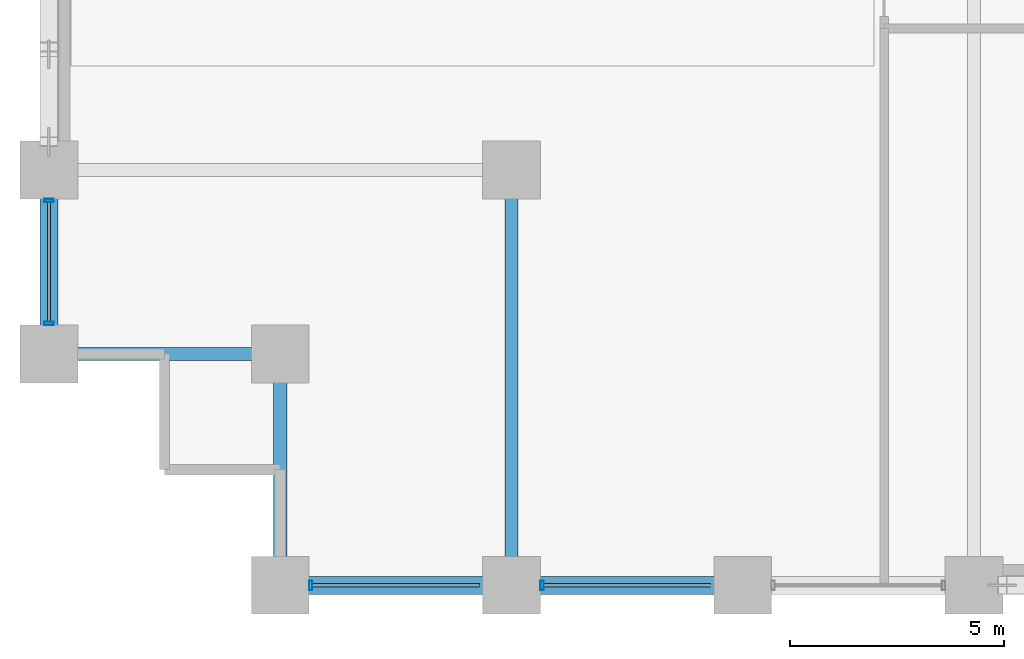
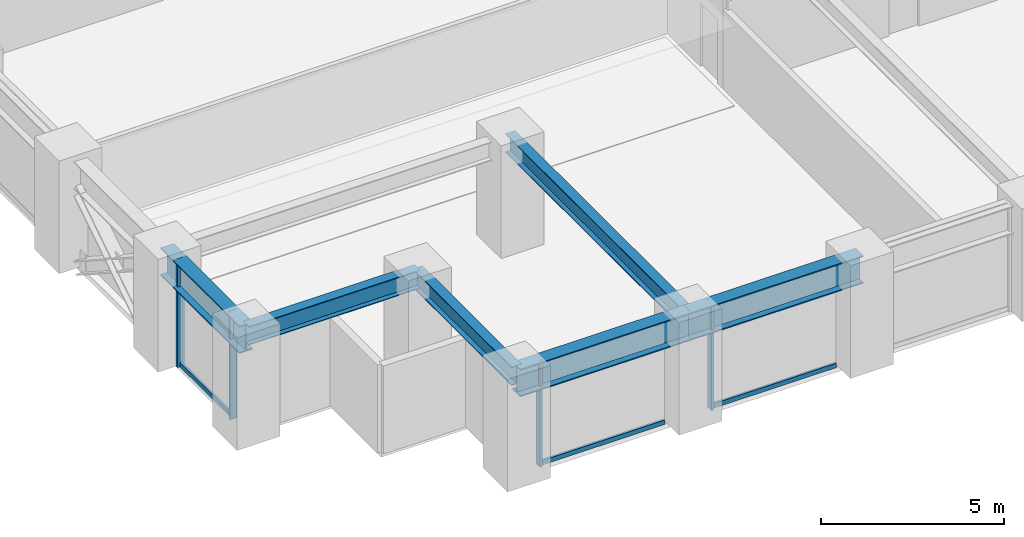
# One storey, part 2 of 25: 7 members, 6 beams, 2 elements without a shape of their own.
"""IFC4 building model written with IfcOpenShell, lengths in metres."""

from ifc_helpers import new_model, si_unit, direction, frame, origin, origin_2d, place, context, subcontext, project, spatial, hollow_rectangle, i_section, extrude, material, layer, layer_set, material_profile, profile_set, type_object, element, aggregate, save


model = new_model("IFC4")

# Units and contexts
model_context = context("Model", 3, precision=1e-05, world=origin(), true_north=direction((0.0, 1.0)))
body_context = subcontext(model_context, "Body", "Model", "MODEL_VIEW")
ifc_project = project(units=[si_unit("LENGTHUNIT", "METRE"), si_unit("AREAUNIT", "SQUARE_METRE"), si_unit("VOLUMEUNIT", "CUBIC_METRE"), si_unit("PLANEANGLEUNIT", "RADIAN"), si_unit("MASSUNIT", "GRAM", prefix="KILO")], contexts=[model_context])

# Site, building, storey
site_placement = place(None, origin())
site = spatial("IfcSite", under=ifc_project, at=site_placement, CompositionType="ELEMENT")
building_placement = place(site_placement, origin())
building = spatial("IfcBuilding", under=site, at=building_placement, Name="Surkhivell Harbour Commons", CompositionType="ELEMENT")
storey_placement = place(building_placement, frame((0.0, 0.0, 45.0)))
storey = spatial("IfcBuildingStorey", under=building, at=storey_placement, Name="L11", CompositionType="ELEMENT", Elevation=45.0)

# Beams
ifc_material_1 = material(Name="Steel S355", Category="steel")
ifc_material_profile_1 = material_profile(ifc_material_1, i_section(OverallWidth=0.306884765625, OverallDepth=0.6201171875, WebThickness=0.01416015625, FlangeThickness=0.023681640625, at=origin_2d()), Name="UB610x305x179")
ifc_profile_set_1 = profile_set([ifc_material_profile_1], Name="Steel S355")
beam_type_1 = type_object("IfcBeamType", Name="BM-GRD-610A", PredefinedType="BEAM", material=ifc_profile_set_1)
for number, where, z_axis, x_axis, name in (
    (1, (-32.39990234375, -20.5, 3.260009765625), (1.0, 0.0, 0.0), (0.0, 1.0, 0.0), "L11 Floor Girder (-32.4,-20.5)"),
    (2, (-27.0, -25.89990234375, 3.260009765625), (0.0, 1.0, 0.0), (-1.0, 0.0, 0.0), "L11 Floor Girder (-27.0,-25.9)"),
):
    element("IfcBeam", number, at=place(storey_placement, frame(where, z_axis=z_axis, x_axis=x_axis)), inside=storey, type_object=beam_type_1, Name=name, PredefinedType="BEAM", context=body_context, shape_type="SweptSolid", body=[
        extrude(i_section(OverallWidth=0.306884765625, OverallDepth=0.6201171875, WebThickness=0.01416015625, FlangeThickness=0.023681640625, at=origin_2d()), origin(), (0.0, 0.0, 1.0), 5.39990234375),
    ])
beam_1_placement = place(storey_placement, frame((-21.60009765625, -25.89990234375, 3.260009765625), z_axis=(0.0, 1.0, 0.0), x_axis=(-1.0, 0.0, 0.0)))
element("IfcBeam", 3, at=beam_1_placement, inside=storey, type_object=beam_type_1, Name="L11 Floor Girder (-21.6,-25.9)", PredefinedType="BEAM", context=body_context, shape_type="SweptSolid", body=[
    extrude(i_section(OverallWidth=0.306884765625, OverallDepth=0.6201171875, WebThickness=0.01416015625, FlangeThickness=0.023681640625, at=origin_2d()), origin(), (0.0, 0.0, 1.0), 9.699951171875),
])
ifc_material_2 = material(Name="Steel S460", Category="steel")
ifc_material_profile_2 = material_profile(ifc_material_2, i_section(OverallWidth=0.419921875, OverallDepth=0.9208984375, WebThickness=0.021484375, FlangeThickness=0.03662109375, at=origin_2d()), Name="UB914x419x388")
ifc_profile_set_2 = profile_set([ifc_material_profile_2], Name="Steel S460")
beam_type_2 = type_object("IfcBeamType", Name="BM-SPN-914A", PredefinedType="SPANDREL", material=ifc_profile_set_2)
beam_2_placement = place(storey_placement, frame((-32.39990234375, -20.5, 3.109619140625), z_axis=(0.0, 1.0, 0.0), x_axis=(-1.0, 0.0, 0.0)))
element("IfcBeam", 4, at=beam_2_placement, inside=storey, type_object=beam_type_2, Name="L11 Tube Spandrel (-32.4,-20.5)", PredefinedType="SPANDREL", context=body_context, shape_type="SweptSolid", body=[
    extrude(i_section(OverallWidth=0.419921875, OverallDepth=0.9208984375, WebThickness=0.021484375, FlangeThickness=0.03662109375, at=origin_2d()), origin(), (0.0, 0.0, 1.0), 4.300048828125),
])
beam_3_placement = place(storey_placement, frame((-27.0, -25.89990234375, 3.109619140625), z_axis=(1.0, 0.0, 0.0), x_axis=(0.0, 1.0, 0.0)))
element("IfcBeam", 5, at=beam_3_placement, inside=storey, type_object=beam_type_2, Name="L11 Tube Spandrel (-27.0,-25.9)", PredefinedType="SPANDREL", context=body_context, shape_type="SweptSolid", body=[
    extrude(i_section(OverallWidth=0.419921875, OverallDepth=0.9208984375, WebThickness=0.021484375, FlangeThickness=0.03662109375, at=origin_2d()), origin(), (0.0, 0.0, 1.0), 5.39990234375),
])
beam_4_placement = place(storey_placement, frame((-21.60009765625, -25.89990234375, 3.109619140625), z_axis=(1.0, 0.0, 0.0), x_axis=(0.0, 1.0, 0.0)))
element("IfcBeam", 6, at=beam_4_placement, inside=storey, type_object=beam_type_2, Name="L11 Tube Spandrel (-21.6,-25.9)", PredefinedType="SPANDREL", context=body_context, shape_type="SweptSolid", body=[
    extrude(i_section(OverallWidth=0.419921875, OverallDepth=0.9208984375, WebThickness=0.021484375, FlangeThickness=0.03662109375, at=origin_2d()), origin(), (0.0, 0.0, 1.0), 5.400146484375),
])

# Curtain wall, members
ifc_material_3 = material(Name="Anodised pale-metal aluminium and insulated glazing", Category="aluminium")
ifc_layer = layer(ifc_material_3, 0.219970703125)
ifc_layer_set = layer_set([ifc_layer], Name="Anodised pale-metal aluminium and insulated glazing")
curtain_wall_type = type_object("IfcCurtainWallType", Name="CW-SYS-Z1", PredefinedType="NOTDEFINED", material=ifc_layer_set)
curtain_wall_1_placement = place(storey_placement, origin())
curtain_wall_1 = element("IfcCurtainWall", 7, at=curtain_wall_1_placement, inside=storey, type_object=curtain_wall_type, Name="L11 Curtain Wall CW-L11-E00S1", PredefinedType="NOTDEFINED")
ifc_material_4 = material(Name="Anodised pale-metal aluminium alloy 6063-T6", Category="aluminium")
ifc_material_profile_3 = material_profile(ifc_material_4, hollow_rectangle(XDim=0.074951171875, YDim=0.219970703125, WallThickness=0.00390625, at=origin_2d()), Name="ALU-MULL-75x220")
ifc_profile_set_3 = profile_set([ifc_material_profile_3], Name="Anodised pale-metal aluminium alloy 6063-T6")
member_type_1 = type_object("IfcMemberType", Name="CWM-220", PredefinedType="MULLION", material=ifc_profile_set_3)
member_1_placement = place(storey_placement, frame((-26.285400390625, -25.89990234375, 0.0), z_axis=(0.0, 0.0, 1.0), x_axis=(1.0, 0.0, 0.0)))
member_1 = element("IfcMember", 8, at=member_1_placement, type_object=member_type_1, Name="CW-Z1 mullion 1", PredefinedType="MULLION", context=body_context, shape_type="SweptSolid", body=[
    extrude(hollow_rectangle(XDim=0.074951171875, YDim=0.219970703125, WallThickness=0.00390625, at=origin_2d()), origin(), (0.0, 0.0, 1.0), 3.570068359375),
])
member_2_placement = place(storey_placement, frame((-20.885498046875, -25.89990234375, 0.0), z_axis=(0.0, 0.0, 1.0), x_axis=(1.0, 0.0, 0.0)))
member_2 = element("IfcMember", 9, at=member_2_placement, type_object=member_type_1, Name="CW-Z1 mullion 2", PredefinedType="MULLION", context=body_context, shape_type="SweptSolid", body=[
    extrude(hollow_rectangle(XDim=0.074951171875, YDim=0.219970703125, WallThickness=0.00390625, at=origin_2d()), origin(), (0.0, 0.0, 1.0), 3.570068359375),
])

curtain_wall_2_placement = place(storey_placement, origin())
curtain_wall_2 = element("IfcCurtainWall", 10, at=curtain_wall_2_placement, inside=storey, type_object=curtain_wall_type, Name="L11 Curtain Wall CW-L11-E12S2", PredefinedType="NOTDEFINED")
member_3_placement = place(storey_placement, frame((-32.39990234375, -16.91455078125, 0.0), z_axis=(0.0, 0.0, 1.0), x_axis=(0.0, -1.0, 0.0)))
member_3 = element("IfcMember", 11, at=member_3_placement, type_object=member_type_1, Name="CW-Z1 mullion 1", PredefinedType="MULLION", context=body_context, shape_type="SweptSolid", body=[
    extrude(hollow_rectangle(XDim=0.074951171875, YDim=0.219970703125, WallThickness=0.00390625, at=origin_2d()), origin(), (0.0, 0.0, 1.0), 3.570068359375),
])
member_4_placement = place(storey_placement, frame((-32.39990234375, -19.785400390625, 0.0), z_axis=(0.0, 0.0, 1.0), x_axis=(0.0, -1.0, 0.0)))
member_4 = element("IfcMember", 12, at=member_4_placement, type_object=member_type_1, Name="CW-Z1 mullion 2", PredefinedType="MULLION", context=body_context, shape_type="SweptSolid", body=[
    extrude(hollow_rectangle(XDim=0.074951171875, YDim=0.219970703125, WallThickness=0.00390625, at=origin_2d()), origin(), (0.0, 0.0, 1.0), 3.570068359375),
])

# Member
ifc_material_profile_4 = material_profile(ifc_material_4, hollow_rectangle(XDim=0.074951171875, YDim=0.14990234375, WallThickness=0.00341796875, at=origin_2d()), Name="ALU-TRAN-75x150")
ifc_profile_set_4 = profile_set([ifc_material_profile_4], Name="Anodised pale-metal aluminium alloy 6063-T6")
member_type_2 = type_object("IfcMemberType", Name="CWT-150", PredefinedType="USERDEFINED", material=ifc_profile_set_4)
member_5_placement = place(storey_placement, frame((-26.248046875, -25.89990234375, 0.074951171875), z_axis=(1.0, 0.0, 0.0), x_axis=(0.0, 1.0, 0.0)))
member_5 = element("IfcMember", 13, at=member_5_placement, type_object=member_type_2, Name="CW-Z1 transom 1.1", ObjectType="TRANSOM", PredefinedType="USERDEFINED", context=body_context, shape_type="SweptSolid", body=[
    extrude(hollow_rectangle(XDim=0.074951171875, YDim=0.14990234375, WallThickness=0.00341796875, at=origin_2d()), origin(), (0.0, 0.0, 1.0), 3.89599609375),
])

member_6_placement = place(storey_placement, frame((-20.847900390625, -25.89990234375, 0.074951171875), z_axis=(1.0, 0.0, 0.0), x_axis=(0.0, 1.0, 0.0)))
member_6 = element("IfcMember", 14, at=member_6_placement, type_object=member_type_2, Name="CW-Z1 transom 2.1", ObjectType="TRANSOM", PredefinedType="USERDEFINED", context=body_context, shape_type="SweptSolid", body=[
    extrude(hollow_rectangle(XDim=0.074951171875, YDim=0.14990234375, WallThickness=0.00341796875, at=origin_2d()), origin(), (0.0, 0.0, 1.0), 3.89599609375),
])

aggregate(curtain_wall_1, [member_1, member_5, member_2, member_6])

member_7_placement = place(storey_placement, frame((-32.39990234375, -16.951904296875, 0.074951171875), z_axis=(0.0, -1.0, 0.0), x_axis=(1.0, 0.0, 0.0)))
member_7 = element("IfcMember", 15, at=member_7_placement, type_object=member_type_2, Name="CW-Z1 transom 1.1", ObjectType="TRANSOM", PredefinedType="USERDEFINED", context=body_context, shape_type="SweptSolid", body=[
    extrude(hollow_rectangle(XDim=0.074951171875, YDim=0.14990234375, WallThickness=0.00341796875, at=origin_2d()), origin(), (0.0, 0.0, 1.0), 2.796142578125),
])

aggregate(curtain_wall_2, [member_3, member_4, member_7])

save(model, "model.ifc")
